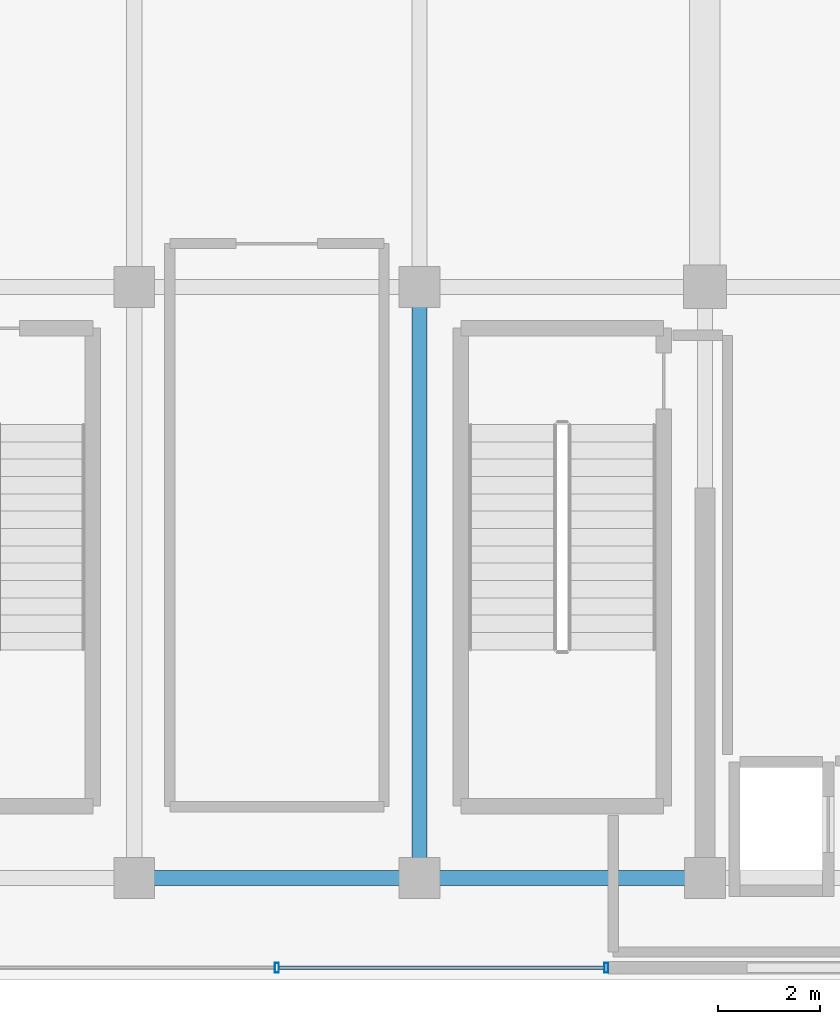
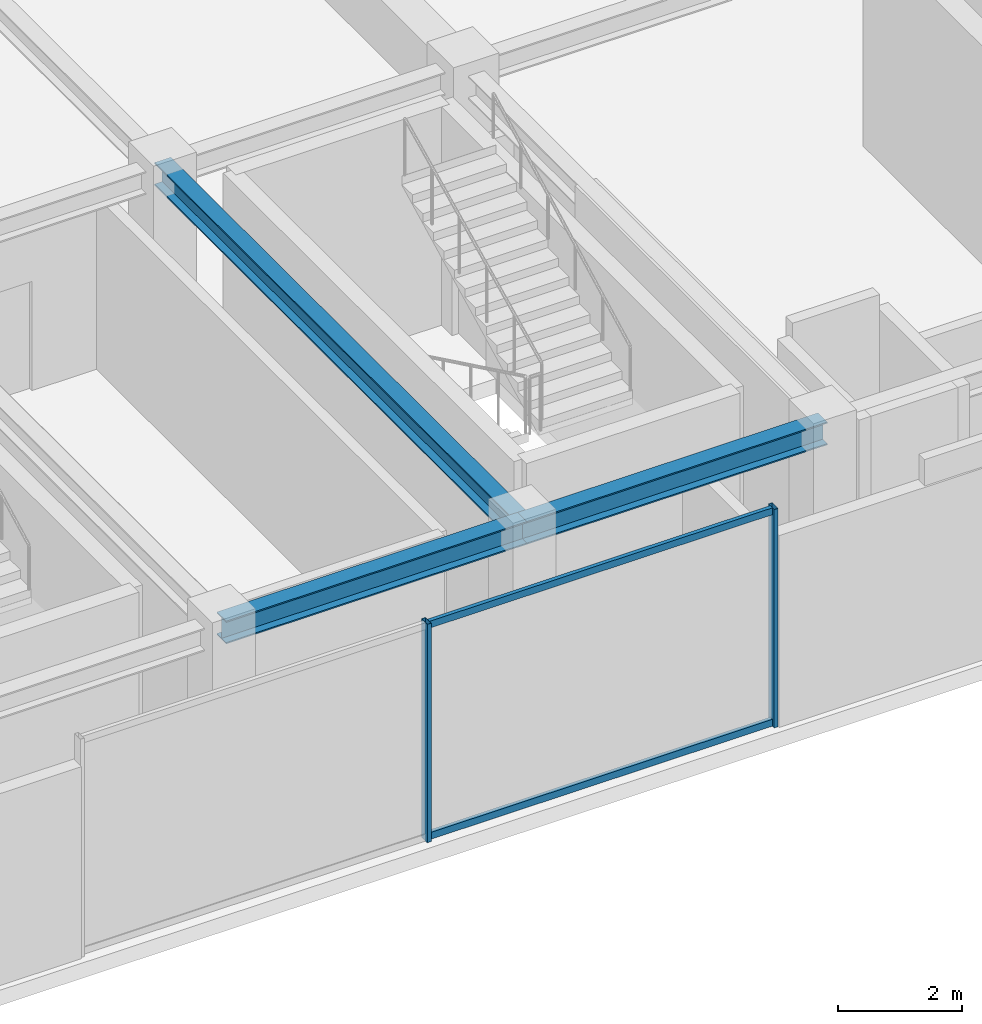
# One storey, part 4 of 18: 4 members, 3 beams, 1 element without a shape of its own.
"""IFC4 building model written with IfcOpenShell, lengths in metres."""

from ifc_helpers import new_model, si_unit, direction, frame, origin, origin_2d, place, context, subcontext, project, spatial, hollow_rectangle, i_section, extrude, source, transform, mapped, material, material_profile, profile_set, type_object, element, aggregate, save


model = new_model("IFC4")

# Units and contexts
model_context = context("Model", 3, precision=1e-05, world=origin(), true_north=direction((0.0, 1.0)))
body_context = subcontext(model_context, "Body", "Model", "MODEL_VIEW")
ifc_project = project(units=[si_unit("LENGTHUNIT", "METRE"), si_unit("AREAUNIT", "SQUARE_METRE"), si_unit("VOLUMEUNIT", "CUBIC_METRE"), si_unit("PLANEANGLEUNIT", "RADIAN"), si_unit("MASSUNIT", "GRAM", prefix="KILO")], contexts=[model_context])

# Site, building, storey
site_placement = place(None, origin())
site = spatial("IfcSite", under=ifc_project, at=site_placement, CompositionType="ELEMENT")
building_placement = place(site_placement, origin())
building = spatial("IfcBuilding", under=site, at=building_placement, Name="Nahalor Promenade Grand Hotel", CompositionType="ELEMENT")
storey_placement = place(building_placement, frame((0.0, 0.0, 361.64990234375)))
storey = spatial("IfcBuildingStorey", under=building, at=storey_placement, Name="L92", CompositionType="ELEMENT", Elevation=361.64990234375)

# Beams
ifc_material_1 = material(Name="Steel S355JR", Category="steel")
ifc_material_profile_1 = material_profile(ifc_material_1, i_section(OverallWidth=0.3, OverallDepth=0.45, WebThickness=0.014, FlangeThickness=0.026, at=origin_2d()), Name="HEB 450")
ifc_profile_set_1 = profile_set([ifc_material_profile_1], Name="Steel S355JR")
beam_type = type_object("IfcBeamType", Name="Beam-Girder-HEB450", PredefinedType="BEAM", material=ifc_profile_set_1)
shared_shape_1 = source(origin(), body_context, "Body", "SweptSolid", [
    extrude(i_section(OverallWidth=0.3, OverallDepth=0.45, WebThickness=0.014, FlangeThickness=0.026, at=origin_2d()), origin(), (0.0, 0.0, 1.0), 5.599853515625),
])
beam_1_placement = place(storey_placement, frame((2.800048828125, -17.0, 4.0751953125), z_axis=(1.0, 0.0, 0.0), x_axis=(0.0, 1.0, 0.0)))
element("IfcBeam", 1, at=beam_1_placement, inside=storey, type_object=beam_type, Name="BM-L92-GX-0-3", PredefinedType="BEAM", context=body_context, shape_type="MappedRepresentation", body=[
    mapped(shared_shape_1, transform((0.0, 0.0, 0.0), scale=1.0)),
])
shared_shape_2 = source(origin(), body_context, "Body", "SweptSolid", [
    extrude(i_section(OverallWidth=0.3, OverallDepth=0.45, WebThickness=0.014, FlangeThickness=0.026, at=origin_2d()), origin(), (0.0, 0.0, 1.0), 5.60009765625),
])
beam_2_placement = place(storey_placement, frame((-2.800048828125, -17.0, 4.0751953125), z_axis=(1.0, 0.0, 0.0), x_axis=(0.0, 1.0, 0.0)))
element("IfcBeam", 2, at=beam_2_placement, inside=storey, type_object=beam_type, Name="BM-L92-GX-0-2", PredefinedType="BEAM", context=body_context, shape_type="MappedRepresentation", body=[
    mapped(shared_shape_2, transform((0.0, 0.0, 0.0), scale=1.0)),
])
shared_shape_3 = source(origin(), body_context, "Body", "SweptSolid", [
    extrude(i_section(OverallWidth=0.3, OverallDepth=0.45, WebThickness=0.014, FlangeThickness=0.026, at=origin_2d()), origin(), (0.0, 0.0, 1.0), 11.60009765625),
])
beam_3_placement = place(storey_placement, frame((2.800048828125, -17.0, 4.0751953125), z_axis=(0.0, 1.0, 0.0), x_axis=(-1.0, 0.0, 0.0)))
element("IfcBeam", 3, at=beam_3_placement, inside=storey, type_object=beam_type, Name="BM-L92-GY-3-0", PredefinedType="BEAM", context=body_context, shape_type="MappedRepresentation", body=[
    mapped(shared_shape_3, transform((0.0, 0.0, 0.0), scale=1.0)),
])

# Curtain wall, members
ifc_material_2 = material(Name="Anodised Bronze Aluminium EN AW-6063 T6", Category="aluminium")
curtain_wall_type = type_object("IfcCurtainWallType", Name="CW6 Crown Botanical Conservatory Curtain Wall", PredefinedType="USERDEFINED", material=ifc_material_2)
curtain_wall_placement = place(storey_placement, origin())
curtain_wall = element("IfcCurtainWall", 4, at=curtain_wall_placement, inside=storey, type_object=curtain_wall_type, Name="L92 Curtain Wall CW-L92-S", ObjectType="UNITISED_CURTAIN_WALL", PredefinedType="USERDEFINED")
ifc_material_profile_2 = material_profile(ifc_material_2, hollow_rectangle(XDim=0.075, YDim=0.135, WallThickness=0.004, at=origin_2d()), Name="CWT 75x135x4")
ifc_profile_set_2 = profile_set([ifc_material_profile_2], Name="Anodised Bronze Aluminium EN AW-6063 T6")
member_type_1 = type_object("IfcMemberType", Name="CWT6 Conservatory Transom 75x135", PredefinedType="USERDEFINED", material=ifc_profile_set_2)
shared_shape_4 = source(origin(), body_context, "Body", "SweptSolid", [
    extrude(hollow_rectangle(XDim=0.075, YDim=0.135, WallThickness=0.004, at=origin_2d()), origin(), (0.0, 0.0, 1.0), 6.387451171875),
])
member_1_placement = place(storey_placement, frame((0.03759765625, -18.760009765625, 0.067626953125), z_axis=(1.0, 0.0, 0.0), x_axis=(0.0, 1.0, 0.0)))
member_1 = element("IfcMember", 5, at=member_1_placement, type_object=member_type_1, Name="CW-L92-S Transom 1-0", ObjectType="TRANSOM", PredefinedType="USERDEFINED", context=body_context, shape_type="MappedRepresentation", body=[
    mapped(shared_shape_4, transform((0.0, 0.0, 0.0), scale=1.0)),
])
member_2_placement = place(storey_placement, frame((0.03759765625, -18.760009765625, 4.232666015625), z_axis=(1.0, 0.0, 0.0), x_axis=(0.0, 1.0, 0.0)))
member_2 = element("IfcMember", 6, at=member_2_placement, type_object=member_type_1, Name="CW-L92-S Transom 1-1", ObjectType="TRANSOM", PredefinedType="USERDEFINED", context=body_context, shape_type="MappedRepresentation", body=[
    mapped(shared_shape_4, transform((0.0, 0.0, 0.0), scale=1.0)),
])
ifc_material_profile_3 = material_profile(ifc_material_2, hollow_rectangle(XDim=0.075, YDim=0.19, WallThickness=0.005, at=origin_2d()), Name="CWM 75x190x5")
ifc_profile_set_3 = profile_set([ifc_material_profile_3], Name="Anodised Bronze Aluminium EN AW-6063 T6")
member_type_2 = type_object("IfcMemberType", Name="CWM6 Conservatory Bronze Mullion 75x190", PredefinedType="MULLION", material=ifc_profile_set_3)
shared_shape_5 = source(origin(), body_context, "Body", "SweptSolid", [
    extrude(hollow_rectangle(XDim=0.075, YDim=0.19, WallThickness=0.005, at=origin_2d()), origin(), (0.0, 0.0, 1.0), 4.300048828125),
])
member_3_placement = place(storey_placement, frame((0.0, -18.760009765625, 0.0), z_axis=(0.0, 0.0, 1.0), x_axis=(1.0, 0.0, 0.0)))
member_3 = element("IfcMember", 7, at=member_3_placement, type_object=member_type_2, Name="CW-L92-S Mullion 1", PredefinedType="MULLION", context=body_context, shape_type="MappedRepresentation", body=[
    mapped(shared_shape_5, transform((0.0, 0.0, 0.0), scale=1.0)),
])
member_4_placement = place(storey_placement, frame((6.46240234375, -18.760009765625, 0.0), z_axis=(0.0, 0.0, 1.0), x_axis=(1.0, 0.0, 0.0)))
member_4 = element("IfcMember", 8, at=member_4_placement, type_object=member_type_2, Name="CW-L92-S Mullion 2", PredefinedType="MULLION", context=body_context, shape_type="MappedRepresentation", body=[
    mapped(shared_shape_5, transform((0.0, 0.0, 0.0), scale=1.0)),
])
aggregate(curtain_wall, [member_3, member_4, member_1, member_2])

save(model, "model.ifc")
